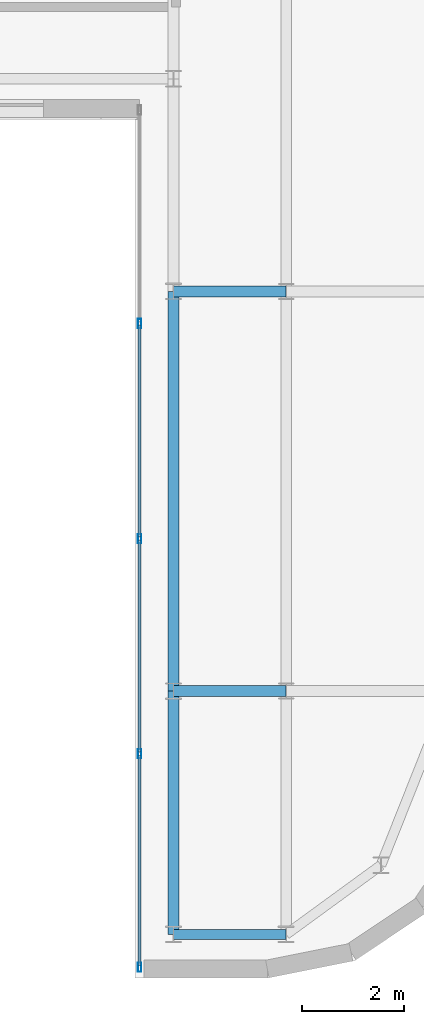
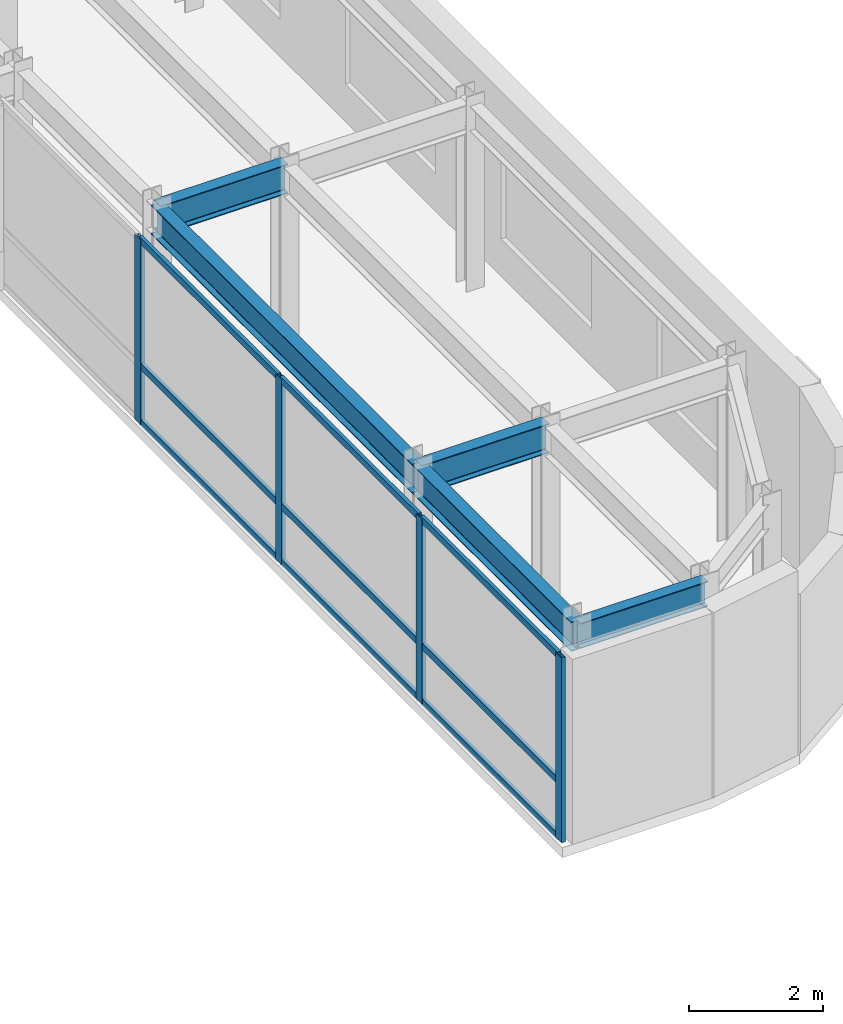
# One storey, part 7 of 21: 13 members, 5 beams, 1 element without a shape of its own.
"""IFC4 building model written with IfcOpenShell, lengths in metres."""

from ifc_helpers import new_model, si_unit, direction, frame, origin, origin_2d, place, context, subcontext, project, spatial, hollow_rectangle, i_section, extrude, source, transform, mapped, material, layer, layer_set, material_profile, profile_set, type_object, type_shapes, element, aggregate, save


model = new_model("IFC4")

# Units and contexts
model_context = context("Model", 3, precision=1e-05, world=origin(), true_north=direction((0.0, 1.0)))
body_context = subcontext(model_context, "Body", "Model", "MODEL_VIEW")
ifc_project = project(units=[si_unit("LENGTHUNIT", "METRE"), si_unit("AREAUNIT", "SQUARE_METRE"), si_unit("VOLUMEUNIT", "CUBIC_METRE"), si_unit("PLANEANGLEUNIT", "RADIAN"), si_unit("MASSUNIT", "GRAM", prefix="KILO")], contexts=[model_context])

# Site, building, storey
site_placement = place(None, origin())
site = spatial("IfcSite", under=ifc_project, at=site_placement, CompositionType="ELEMENT")
building_placement = place(site_placement, origin())
building = spatial("IfcBuilding", under=site, at=building_placement, Name="Tolvann Quenvar Hotel", CompositionType="ELEMENT")
storey_placement = place(building_placement, frame((0.0, 0.0, 262.949951171875)))
storey = spatial("IfcBuildingStorey", under=building, at=storey_placement, Name="L70", CompositionType="ELEMENT", Elevation=262.949951171875)

# Beams
ifc_material_1 = material(Name="Steel Grade 350", Category="steel")
ifc_material_profile_1 = material_profile(ifc_material_1, i_section(OverallWidth=0.208984375, OverallDepth=0.532958984375, WebThickness=0.01025390625, FlangeThickness=0.015625, FilletRadius=0.013916015625, at=origin_2d()), Name="530UB92")
ifc_profile_set_1 = profile_set([ifc_material_profile_1], Name="Steel Grade 350")
beam_type_1 = type_object("IfcBeamType", Name="BM_GIRD_530UB92", PredefinedType="BEAM", material=ifc_profile_set_1)
shared_shape_1 = source(origin(), body_context, "Body", "SweptSolid", [
    extrude(i_section(OverallWidth=0.208984375, OverallDepth=0.532958984375, WebThickness=0.01025390625, FlangeThickness=0.015625, FilletRadius=0.013916015625, at=origin_2d()), origin(), (0.0, 0.0, 1.0), 7.800048828125),
])
beam_1_placement = place(storey_placement, frame((32.75, 8.199951171875, 3.103515625), z_axis=(0.0, 1.0, 0.0), x_axis=(-1.0, 0.0, 0.0)))
element("IfcBeam", 1, at=beam_1_placement, inside=storey, type_object=beam_type_1, Name="BM-L70-NS-FP3-FP4", PredefinedType="BEAM", context=body_context, shape_type="MappedRepresentation", body=[
    mapped(shared_shape_1, transform((0.0, 0.0, 0.0), x_axis=(1.0, 0.0, 0.0), y_axis=(0.0, 1.0, 0.0), z_axis=(0.0, 0.0, 1.0), scale=1.0)),
])
shared_shape_2 = source(origin(), body_context, "Body", "SweptSolid", [
    extrude(i_section(OverallWidth=0.208984375, OverallDepth=0.532958984375, WebThickness=0.01025390625, FlangeThickness=0.015625, FilletRadius=0.013916015625, at=origin_2d()), origin(), (0.0, 0.0, 1.0), 4.75),
])
beam_2_placement = place(storey_placement, frame((32.75, 3.449951171875, 3.103515625), z_axis=(0.0, 1.0, 0.0), x_axis=(-1.0, 0.0, 0.0)))
element("IfcBeam", 2, at=beam_2_placement, inside=storey, type_object=beam_type_1, Name="BM-L70-NS-FP2-FP3", PredefinedType="BEAM", context=body_context, shape_type="MappedRepresentation", body=[
    mapped(shared_shape_2, transform((0.0, 0.0, 0.0), x_axis=(1.0, 0.0, 0.0), y_axis=(0.0, 1.0, 0.0), z_axis=(0.0, 0.0, 1.0), scale=1.0)),
])
ifc_material_profile_2 = material_profile(ifc_material_1, i_section(OverallWidth=0.19091796875, OverallDepth=0.4599609375, WebThickness=0.010009765625, FlangeThickness=0.01611328125, FilletRadius=0.011474609375, at=origin_2d()), Name="460UB82")
ifc_profile_set_2 = profile_set([ifc_material_profile_2], Name="Steel Grade 350")
beam_type_2 = type_object("IfcBeamType", Name="BM_SPAND_460UB82", PredefinedType="SPANDREL", material=ifc_profile_set_2)
shared_shape_3 = source(origin(), body_context, "Body", "SweptSolid", [
    extrude(i_section(OverallWidth=0.19091796875, OverallDepth=0.4599609375, WebThickness=0.010009765625, FlangeThickness=0.01611328125, FilletRadius=0.011474609375, at=origin_2d()), origin(), (0.0, 0.0, 1.0), 2.199951171875),
])
type_shapes(beam_type_2, [shared_shape_3])
beam_3_placement = place(storey_placement, frame((32.75, 3.449951171875, 3.14013671875), z_axis=(1.0, 0.0, 0.0), x_axis=(0.0, 1.0, 0.0)))
element("IfcBeam", 3, at=beam_3_placement, inside=storey, type_object=beam_type_2, Name="BM-L70-EW-2-FP2-F2", PredefinedType="SPANDREL", context=body_context, shape_type="MappedRepresentation", body=[
    mapped(shared_shape_3, transform((0.0, 0.0, 0.0), x_axis=(1.0, 0.0, 0.0), y_axis=(0.0, 1.0, 0.0), z_axis=(0.0, 0.0, 1.0), scale=1.0)),
])
shared_shape_4 = source(origin(), body_context, "Body", "SweptSolid", [
    extrude(i_section(OverallWidth=0.208984375, OverallDepth=0.532958984375, WebThickness=0.01025390625, FlangeThickness=0.015625, FilletRadius=0.013916015625, at=origin_2d()), origin(), (0.0, 0.0, 1.0), 2.199951171875),
])
type_shapes(beam_type_1, [shared_shape_1, shared_shape_2, shared_shape_4])
for number, where, z_axis, x_axis, name in (
    (4, (32.75, 8.199951171875, 3.103515625), (1.0, 0.0, 0.0), (0.0, 1.0, 0.0), "BM-L70-EW-3-FP3-F3"),
    (5, (32.75, 16.0, 3.103515625), (1.0, 0.0, 0.0), (0.0, 1.0, 0.0), "BM-L70-EW-4-FP4-F4"),
):
    element("IfcBeam", number, at=place(storey_placement, frame(where, z_axis=z_axis, x_axis=x_axis)), inside=storey, type_object=beam_type_1, Name=name, PredefinedType="BEAM", context=body_context, shape_type="MappedRepresentation", body=[
        mapped(shared_shape_4, transform((0.0, 0.0, 0.0), x_axis=(1.0, 0.0, 0.0), y_axis=(0.0, 1.0, 0.0), z_axis=(0.0, 0.0, 1.0), scale=1.0)),
    ])

# Curtain wall, members
ifc_material_2 = material(Name="Thermally broken anodised architectural aluminium 6063-T6 and laminated low-E glass", Category="aluminium")
ifc_layer = layer(ifc_material_2, 0.179931640625)
ifc_layer_set = layer_set([ifc_layer], Name="Thermally broken anodised architectural aluminium 6063-T6 and laminated low-E glass")
curtain_wall_type = type_object("IfcCurtainWallType", Name="CW_SYS_PORTAL_05", PredefinedType="USERDEFINED", material=ifc_layer_set)
curtain_wall_placement = place(storey_placement, origin())
curtain_wall = element("IfcCurtainWall", 6, at=curtain_wall_placement, inside=storey, type_object=curtain_wall_type, Name="Curtain Wall CW-PORTAL-05 (CWR-L70-E07)", ObjectType="UNITISED CURTAIN WALL", PredefinedType="USERDEFINED")
ifc_material_3 = material(Name="Anodised architectural aluminium 6063-T6 framing", Category="aluminium")
ifc_material_profile_3 = material_profile(ifc_material_3, hollow_rectangle(XDim=0.070068359375, YDim=0.179931640625, WallThickness=0.00390625, at=origin_2d()), Name="180x70x4RHS")
ifc_profile_set_3 = profile_set([ifc_material_profile_3], Name="Anodised architectural aluminium 6063-T6 framing")
member_type_1 = type_object("IfcMemberType", Name="CW_MULL_180x70", PredefinedType="MULLION", material=ifc_profile_set_3)
shared_shape_5 = source(origin(), body_context, "Body", "SweptSolid", [
    extrude(hollow_rectangle(XDim=0.070068359375, YDim=0.179931640625, WallThickness=0.00390625, at=origin_2d()), origin(), (0.0, 0.0, 1.0), 3.3701171875),
])
type_shapes(member_type_1, [shared_shape_5])
member_1_placement = place(storey_placement, frame((32.090087890625, 15.375, 0.0), z_axis=(0.0, 0.0, 1.0), x_axis=(1.0, 0.0, 0.0)))
member_1 = element("IfcMember", 7, at=member_1_placement, type_object=member_type_1, Name="CW-PORTAL-05 mullion 2", PredefinedType="MULLION", context=body_context, shape_type="MappedRepresentation", body=[
    mapped(shared_shape_5, transform((0.0, 0.0, 0.0), x_axis=(1.0, 0.0, 0.0), y_axis=(0.0, 1.0, 0.0), z_axis=(0.0, 0.0, 1.0), scale=1.0)),
])
member_2_placement = place(storey_placement, frame((32.090087890625, 11.175048828125, 0.0), z_axis=(0.0, 0.0, 1.0), x_axis=(1.0, 0.0, 0.0)))
member_2 = element("IfcMember", 8, at=member_2_placement, type_object=member_type_1, Name="CW-PORTAL-05 mullion 3", PredefinedType="MULLION", context=body_context, shape_type="MappedRepresentation", body=[
    mapped(shared_shape_5, transform((0.0, 0.0, 0.0), x_axis=(1.0, 0.0, 0.0), y_axis=(0.0, 1.0, 0.0), z_axis=(0.0, 0.0, 1.0), scale=1.0)),
])
member_3_placement = place(storey_placement, frame((32.090087890625, 6.97509765625, 0.0), z_axis=(0.0, 0.0, 1.0), x_axis=(1.0, 0.0, 0.0)))
member_3 = element("IfcMember", 9, at=member_3_placement, type_object=member_type_1, Name="CW-PORTAL-05 mullion 4", PredefinedType="MULLION", context=body_context, shape_type="MappedRepresentation", body=[
    mapped(shared_shape_5, transform((0.0, 0.0, 0.0), x_axis=(1.0, 0.0, 0.0), y_axis=(0.0, 1.0, 0.0), z_axis=(0.0, 0.0, 1.0), scale=1.0)),
])
member_4_placement = place(storey_placement, frame((32.090087890625, 2.81005859375, 0.0), z_axis=(0.0, 0.0, 1.0), x_axis=(1.0, 0.0, 0.0)))
member_4 = element("IfcMember", 10, at=member_4_placement, type_object=member_type_1, Name="CW-PORTAL-05 mullion 5", PredefinedType="MULLION", context=body_context, shape_type="MappedRepresentation", body=[
    mapped(shared_shape_5, transform((0.0, 0.0, 0.0), x_axis=(1.0, 0.0, 0.0), y_axis=(0.0, 1.0, 0.0), z_axis=(0.0, 0.0, 1.0), scale=1.0)),
])
ifc_material_profile_4 = material_profile(ifc_material_3, hollow_rectangle(XDim=0.06005859375, YDim=0.1201171875, WallThickness=0.00341796875, at=origin_2d()), Name="120x60x3.5RHS")
ifc_profile_set_4 = profile_set([ifc_material_profile_4], Name="Anodised architectural aluminium 6063-T6 framing")
member_type_2 = type_object("IfcMemberType", Name="CW_TRAN_120x60", PredefinedType="USERDEFINED", material=ifc_profile_set_4)
shared_shape_6 = source(origin(), body_context, "Body", "SweptSolid", [
    extrude(hollow_rectangle(XDim=0.06005859375, YDim=0.1201171875, WallThickness=0.00341796875, at=origin_2d()), origin(), (0.0, 0.0, 1.0), 4.094970703125),
])
member_5_placement = place(storey_placement, frame((32.090087890625, 6.93994140625, 0.030029296875), z_axis=(0.0, -1.0, 0.0), x_axis=(1.0, 0.0, 0.0)))
member_5 = element("IfcMember", 11, at=member_5_placement, type_object=member_type_2, Name="CW-PORTAL-05 transom 4.1", ObjectType="TRANSOM", PredefinedType="USERDEFINED", context=body_context, shape_type="MappedRepresentation", body=[
    mapped(shared_shape_6, transform((0.0, 0.0, 0.0), x_axis=(1.0, 0.0, 0.0), y_axis=(0.0, 1.0, 0.0), z_axis=(0.0, 0.0, 1.0), scale=1.0)),
])
member_6_placement = place(storey_placement, frame((32.090087890625, 6.93994140625, 1.050048828125), z_axis=(0.0, -1.0, 0.0), x_axis=(1.0, 0.0, 0.0)))
member_6 = element("IfcMember", 12, at=member_6_placement, type_object=member_type_2, Name="CW-PORTAL-05 transom 4.2", ObjectType="TRANSOM", PredefinedType="USERDEFINED", context=body_context, shape_type="MappedRepresentation", body=[
    mapped(shared_shape_6, transform((0.0, 0.0, 0.0), x_axis=(1.0, 0.0, 0.0), y_axis=(0.0, 1.0, 0.0), z_axis=(0.0, 0.0, 1.0), scale=1.0)),
])
member_7_placement = place(storey_placement, frame((32.090087890625, 6.93994140625, 3.340087890625), z_axis=(0.0, -1.0, 0.0), x_axis=(1.0, 0.0, 0.0)))
member_7 = element("IfcMember", 13, at=member_7_placement, type_object=member_type_2, Name="CW-PORTAL-05 transom 4.3", ObjectType="TRANSOM", PredefinedType="USERDEFINED", context=body_context, shape_type="MappedRepresentation", body=[
    mapped(shared_shape_6, transform((0.0, 0.0, 0.0), x_axis=(1.0, 0.0, 0.0), y_axis=(0.0, 1.0, 0.0), z_axis=(0.0, 0.0, 1.0), scale=1.0)),
])
shared_shape_7 = source(origin(), body_context, "Body", "SweptSolid", [
    extrude(hollow_rectangle(XDim=0.06005859375, YDim=0.1201171875, WallThickness=0.00341796875, at=origin_2d()), origin(), (0.0, 0.0, 1.0), 4.130126953125),
])
member_8_placement = place(storey_placement, frame((32.090087890625, 15.340087890625, 0.030029296875), z_axis=(0.0, -1.0, 0.0), x_axis=(1.0, 0.0, 0.0)))
member_8 = element("IfcMember", 14, at=member_8_placement, type_object=member_type_2, Name="CW-PORTAL-05 transom 2.1", ObjectType="TRANSOM", PredefinedType="USERDEFINED", context=body_context, shape_type="MappedRepresentation", body=[
    mapped(shared_shape_7, transform((0.0, 0.0, 0.0), x_axis=(1.0, 0.0, 0.0), y_axis=(0.0, 1.0, 0.0), z_axis=(0.0, 0.0, 1.0), scale=1.0)),
])
member_9_placement = place(storey_placement, frame((32.090087890625, 15.340087890625, 1.050048828125), z_axis=(0.0, -1.0, 0.0), x_axis=(1.0, 0.0, 0.0)))
member_9 = element("IfcMember", 15, at=member_9_placement, type_object=member_type_2, Name="CW-PORTAL-05 transom 2.2", ObjectType="TRANSOM", PredefinedType="USERDEFINED", context=body_context, shape_type="MappedRepresentation", body=[
    mapped(shared_shape_7, transform((0.0, 0.0, 0.0), x_axis=(1.0, 0.0, 0.0), y_axis=(0.0, 1.0, 0.0), z_axis=(0.0, 0.0, 1.0), scale=1.0)),
])
member_10_placement = place(storey_placement, frame((32.090087890625, 15.340087890625, 3.340087890625), z_axis=(0.0, -1.0, 0.0), x_axis=(1.0, 0.0, 0.0)))
member_10 = element("IfcMember", 16, at=member_10_placement, type_object=member_type_2, Name="CW-PORTAL-05 transom 2.3", ObjectType="TRANSOM", PredefinedType="USERDEFINED", context=body_context, shape_type="MappedRepresentation", body=[
    mapped(shared_shape_7, transform((0.0, 0.0, 0.0), x_axis=(1.0, 0.0, 0.0), y_axis=(0.0, 1.0, 0.0), z_axis=(0.0, 0.0, 1.0), scale=1.0)),
])
shared_shape_8 = source(origin(), body_context, "Body", "SweptSolid", [
    extrude(hollow_rectangle(XDim=0.06005859375, YDim=0.1201171875, WallThickness=0.00341796875, at=origin_2d()), origin(), (0.0, 0.0, 1.0), 4.1298828125),
])
type_shapes(member_type_2, [shared_shape_6, shared_shape_7, shared_shape_8])
member_11_placement = place(storey_placement, frame((32.090087890625, 11.139892578125, 0.030029296875), z_axis=(0.0, -1.0, 0.0), x_axis=(1.0, 0.0, 0.0)))
member_11 = element("IfcMember", 17, at=member_11_placement, type_object=member_type_2, Name="CW-PORTAL-05 transom 3.1", ObjectType="TRANSOM", PredefinedType="USERDEFINED", context=body_context, shape_type="MappedRepresentation", body=[
    mapped(shared_shape_8, transform((0.0, 0.0, 0.0), x_axis=(1.0, 0.0, 0.0), y_axis=(0.0, 1.0, 0.0), z_axis=(0.0, 0.0, 1.0), scale=1.0)),
])
member_12_placement = place(storey_placement, frame((32.090087890625, 11.139892578125, 1.050048828125), z_axis=(0.0, -1.0, 0.0), x_axis=(1.0, 0.0, 0.0)))
member_12 = element("IfcMember", 18, at=member_12_placement, type_object=member_type_2, Name="CW-PORTAL-05 transom 3.2", ObjectType="TRANSOM", PredefinedType="USERDEFINED", context=body_context, shape_type="MappedRepresentation", body=[
    mapped(shared_shape_8, transform((0.0, 0.0, 0.0), x_axis=(1.0, 0.0, 0.0), y_axis=(0.0, 1.0, 0.0), z_axis=(0.0, 0.0, 1.0), scale=1.0)),
])
member_13_placement = place(storey_placement, frame((32.090087890625, 11.139892578125, 3.340087890625), z_axis=(0.0, -1.0, 0.0), x_axis=(1.0, 0.0, 0.0)))
member_13 = element("IfcMember", 19, at=member_13_placement, type_object=member_type_2, Name="CW-PORTAL-05 transom 3.3", ObjectType="TRANSOM", PredefinedType="USERDEFINED", context=body_context, shape_type="MappedRepresentation", body=[
    mapped(shared_shape_8, transform((0.0, 0.0, 0.0), x_axis=(1.0, 0.0, 0.0), y_axis=(0.0, 1.0, 0.0), z_axis=(0.0, 0.0, 1.0), scale=1.0)),
])
aggregate(curtain_wall, [member_1, member_2, member_3, member_4, member_8, member_9, member_10, member_11, member_12, member_13, member_5, member_6, member_7])

save(model, "model.ifc")
